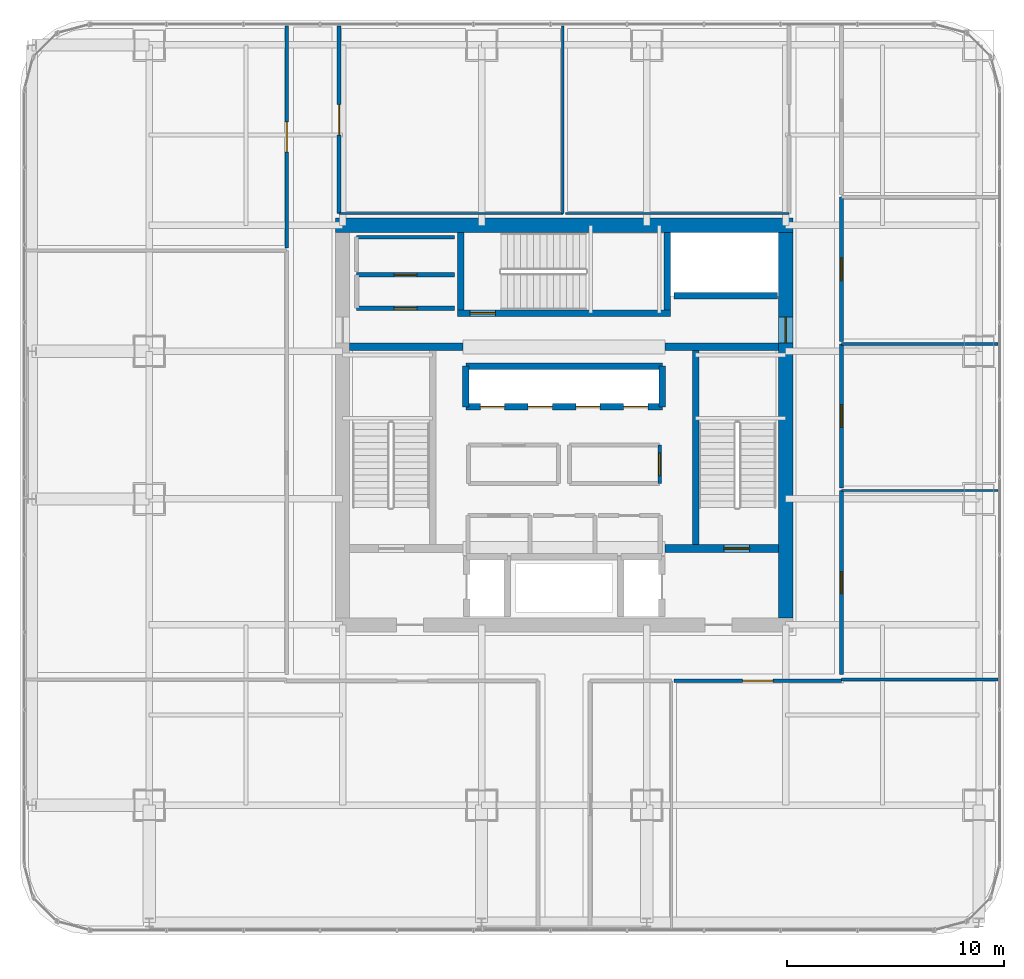
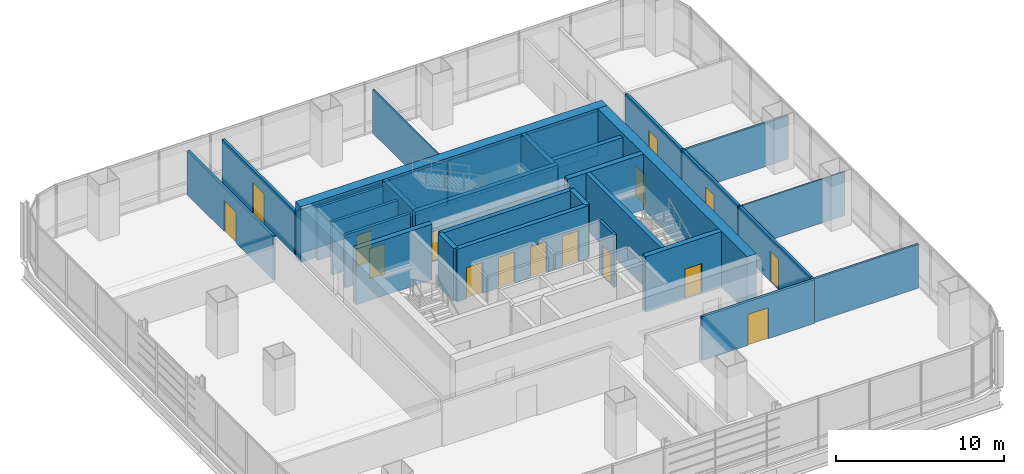
# One storey, part 30 of 37: 30 walls, 16 doors, 16 openings.
"""IFC4 building model written with IfcOpenShell, lengths in metres."""

import ifcopenshell
import ifcopenshell.guid

model = None  # the IFC model being written
_history = None  # IfcOwnerHistory: only IFC2X3 demands one
_inside = {}  # id of a spatial element -> (the spatial element, [elements in it])
_under = {}  # id of a project, library or spatial element -> (it, [spatial elements below it])
_declared = {}  # id of a project -> (the project, [libraries it declares])
_typed = {}  # id of a type object -> (the type object, [elements of that type])
_made_of = {}  # id of a material, layer set ... -> (it, [elements and type objects made of it])


def new_model(schema):
    """Start an empty IFC model of exactly this schema.

    Asked for "IFC4X3", IfcOpenShell would pick the latest addendum, in which some entities
    have other attributes; the version numbers below select the first issue.
    IFC2X3 requires an IfcOwnerHistory on every rooted entity: one is made here for all.
    """
    global model, _history
    if schema == "IFC4X3":
        model = ifcopenshell.file(schema_version=(4, 3, 0, 0))
    else:
        model = ifcopenshell.file(schema=schema)
    _inside.clear()
    _under.clear()
    _declared.clear()
    _typed.clear()
    _made_of.clear()
    _history = None
    if model.schema == "IFC2X3":
        org = make("IfcOrganization", Name="unknown")
        user = make(
            "IfcPersonAndOrganization",
            ThePerson=make("IfcPerson", FamilyName="unknown"),
            TheOrganization=org,
        )
        app = make(
            "IfcApplication",
            ApplicationDeveloper=org,
            Version="unknown",
            ApplicationFullName="unknown",
            ApplicationIdentifier="unknown",
        )
        _history = make(
            "IfcOwnerHistory",
            OwningUser=user,
            OwningApplication=app,
            ChangeAction="ADDED",
            CreationDate=0,
        )
    return model


def make(cls, **values):
    """One entity of the class cls with the attributes given. An attribute that is None is left unset."""
    return model.create_entity(
        cls, **{name: value for name, value in values.items() if value is not None}
    )


def rooted(cls, **values):
    """An entity with a GlobalId (a new one), such as an element, a storey or a relation."""
    return make(cls, GlobalId=ifcopenshell.guid.new(), OwnerHistory=_history, **values)


def si_unit(unit_type, name, prefix=None):
    """IfcSIUnit, for example si_unit("LENGTHUNIT", "METRE", prefix="MILLI")."""
    return make("IfcSIUnit", UnitType=unit_type, Prefix=prefix, Name=name)


def assignment(units):
    """IfcUnitAssignment: the units of a project."""
    return None if units is None else make("IfcUnitAssignment", Units=units)


def point(xyz):
    """IfcCartesianPoint."""
    return None if xyz is None else make("IfcCartesianPoint", Coordinates=xyz)


def direction(xyz):
    """IfcDirection."""
    return None if xyz is None else make("IfcDirection", DirectionRatios=xyz)


def frame(location, z_axis=None, x_axis=None):
    """IfcAxis2Placement3D, a coordinate frame: its origin and axes. An axis left out is left unset."""
    return make(
        "IfcAxis2Placement3D",
        Location=point(location),
        Axis=direction(z_axis),
        RefDirection=direction(x_axis),
    )


def frame_2d(location, x_axis=None):
    """IfcAxis2Placement2D, a coordinate frame in the plane: its origin and x axis."""
    return make(
        "IfcAxis2Placement2D", Location=point(location), RefDirection=direction(x_axis)
    )


def origin():
    """The frame at (0, 0, 0) with its axes left unset."""
    return frame((0.0, 0.0, 0.0))


def place(relative_to, where):
    """IfcLocalPlacement: puts the frame where relative to a parent placement (None: the world)."""
    return make(
        "IfcLocalPlacement", PlacementRelTo=relative_to, RelativePlacement=where
    )


def context(
    kind, dimensions, precision=None, world=None, true_north=None, identifier=None
):
    """IfcGeometricRepresentationContext, for example the 3D "Model" context."""
    return make(
        "IfcGeometricRepresentationContext",
        ContextIdentifier=identifier,
        ContextType=kind,
        CoordinateSpaceDimension=dimensions,
        Precision=precision,
        WorldCoordinateSystem=world,
        TrueNorth=true_north,
    )


def subcontext(parent, identifier, kind, view, scale=None):
    """IfcGeometricRepresentationSubContext, for example "Body" below "Model"."""
    return make(
        "IfcGeometricRepresentationSubContext",
        ContextIdentifier=identifier,
        ContextType=kind,
        ParentContext=parent,
        TargetScale=scale,
        TargetView=view,
    )


def project(units=None, contexts=None):
    """IfcProject with its units and contexts."""
    return rooted(
        "IfcProject",
        Name="project",
        RepresentationContexts=contexts,
        UnitsInContext=assignment(units),
    )


def spatial(cls, under=None, at=None, **own):
    """A site, building, storey or space (cls), placed at a placement, below another one or the project."""
    s = rooted(cls, ObjectPlacement=at, **own)
    if under is not None:
        _under.setdefault(under.id(), (under, []))[1].append(s)
    return s


def profile(cls, at=None, kind="AREA", **sizes):
    """A parametric profile (cls). Its sizes go by their IFC names, for example OverallWidth=200.0."""
    return make(cls, ProfileType=kind, Position=at, **sizes)


def rectangle(**sizes):
    """IfcRectangleProfileDef."""
    return profile("IfcRectangleProfileDef", **sizes)


def extrude(swept, where, along, depth):
    """IfcExtrudedAreaSolid: the profile swept, set in the frame where, extruded along a direction by depth."""
    return make(
        "IfcExtrudedAreaSolid",
        SweptArea=swept,
        Position=where,
        ExtrudedDirection=direction(along),
        Depth=depth,
    )


def shape(context_of_items, identifier, shape_type, items):
    """IfcShapeRepresentation: the items that make up one representation, for example the "Body"."""
    return make(
        "IfcShapeRepresentation",
        ContextOfItems=context_of_items,
        RepresentationIdentifier=identifier,
        RepresentationType=shape_type,
        Items=items,
    )


def material(Name=None, Category=None):
    """IfcMaterial."""
    return make("IfcMaterial", Name=Name, Category=Category)


def layer(
    of_material, thickness, ventilated=None, Name=None, Category=None, Priority=None
):
    """IfcMaterialLayer: one layer of a wall or slab, of a material (None: an air gap)."""
    return make(
        "IfcMaterialLayer",
        Material=of_material,
        LayerThickness=thickness,
        IsVentilated=ventilated,
        Name=Name,
        Category=Category,
        Priority=Priority,
    )


def layer_set(layers, Name=None):
    """IfcMaterialLayerSet."""
    return make("IfcMaterialLayerSet", MaterialLayers=layers, LayerSetName=Name)


def made_of(thing, what):
    """Note that an element or type object is made of a material, layer set ...; save() writes the relation."""
    if what is not None:
        _made_of.setdefault(what.id(), (what, []))[1].append(thing)
    return thing


def type_object(cls, material=None, **own):
    """A type object (cls), such as IfcWallType, which elements share."""
    return made_of(rooted(cls, **own), material)


def element(
    cls,
    number,
    at=None,
    inside=None,
    cuts=None,
    type_object=None,
    material=None,
    context=None,
    identifier="Body",
    shape_type=None,
    held_by="IfcProductDefinitionShape",
    body=None,
    shapes=None,
    **own,
):
    """One element of the class cls, such as IfcWall. Its Tag is "e" and its number.

    at: its placement. inside: the storey or other place that contains it. cuts: it is an
    opening in that element (IfcRelVoidsElement). A single representation is given by context,
    identifier, shape_type and body (its items); several are given by shapes. held_by: the class
    of the entity that holds the representations. save() writes the other relations.
    """
    e = rooted(cls, Tag="e%d" % number, ObjectPlacement=at, **own)
    if body is not None:
        shapes = [shape(context, identifier, shape_type, body)]
    if shapes is not None:
        e.Representation = make(held_by, Representations=shapes)
    if inside is not None:
        _inside.setdefault(inside.id(), (inside, []))[1].append(e)
    if cuts is not None:
        rooted(
            "IfcRelVoidsElement", RelatingBuildingElement=cuts, RelatedOpeningElement=e
        )
    if type_object is not None:
        _typed.setdefault(type_object.id(), (type_object, []))[1].append(e)
    return made_of(e, material)


def fill(opening, filler):
    """IfcRelFillsElement: the door or window that sits in an opening."""
    return rooted(
        "IfcRelFillsElement",
        RelatingOpeningElement=opening,
        RelatedBuildingElement=filler,
    )


def aggregate(whole, parts):
    """IfcRelAggregates: a whole, such as a stair, and the parts it consists of."""
    return rooted("IfcRelAggregates", RelatingObject=whole, RelatedObjects=parts)


def save(model, path):
    """Write the relations noted so far, then the file.

    IfcRelAggregates (storeys below a building ...), IfcRelContainedInSpatialStructure (elements
    in a storey), IfcRelDefinesByType, IfcRelAssociatesMaterial and IfcRelDeclares: one each for
    every whole, place, type object, material and project.
    """
    for whole, parts in _under.values():
        aggregate(whole, parts)
    for where, things in _inside.values():
        rooted(
            "IfcRelContainedInSpatialStructure",
            RelatedElements=things,
            RelatingStructure=where,
        )
    for kind, things in _typed.values():
        rooted("IfcRelDefinesByType", RelatedObjects=things, RelatingType=kind)
    for what, things in _made_of.values():
        rooted("IfcRelAssociatesMaterial", RelatedObjects=things, RelatingMaterial=what)
    for by, libraries in _declared.values():
        rooted("IfcRelDeclares", RelatingContext=by, RelatedDefinitions=libraries)
    model.write(path)


model = new_model("IFC4")

# Units and contexts
model_context = context("Model", 3, precision=1e-05, world=origin(), true_north=direction((0.0, 1.0)))
body_context = subcontext(model_context, "Body", "Model", "MODEL_VIEW")
ifc_project = project(units=[si_unit("LENGTHUNIT", "METRE"), si_unit("AREAUNIT", "SQUARE_METRE"), si_unit("VOLUMEUNIT", "CUBIC_METRE"), si_unit("PLANEANGLEUNIT", "RADIAN"), si_unit("MASSUNIT", "GRAM", prefix="KILO")], contexts=[model_context])

# Site, building, storey
site_placement = place(None, origin())
site = spatial("IfcSite", under=ifc_project, at=site_placement, CompositionType="ELEMENT")
building_placement = place(site_placement, origin())
building = spatial("IfcBuilding", under=site, at=building_placement, Name="Punatoya Terracotta Tower", CompositionType="ELEMENT")
storey_placement = place(building_placement, frame((0.0, 0.0, 192.449951171875)))
storey = spatial("IfcBuildingStorey", under=building, at=storey_placement, Name="L45", CompositionType="ELEMENT", Elevation=192.449951171875)

# Wall
ifc_material_1 = material(Name="Concrete C60/75", Category="concrete")
ifc_layer_1 = layer(ifc_material_1, 0.64990234375)
ifc_layer_set_1 = layer_set([ifc_layer_1], Name="Concrete C60/75")
wall_type_1 = type_object("IfcWallType", Name="WL-COR-650", PredefinedType="SHEAR", material=ifc_layer_set_1)
wall_1_placement = place(storey_placement, frame((-10.52490234375, 9.199951171875, 0.0), z_axis=(0.0, 0.0, 1.0), x_axis=(1.0, 0.0, 0.0)))
element("IfcWall", 1, at=wall_1_placement, inside=storey, type_object=wall_type_1, Name="L45 Core Shear Wall N", PredefinedType="SHEAR", context=body_context, shape_type="SweptSolid", body=[
    extrude(rectangle(XDim=21.0498046875, YDim=0.64990234375, at=frame_2d((10.52490234375, 0.0))), origin(), (0.0, 0.0, 1.0), 4.050048828125),
])

# Wall, opening, door
wall_2_placement = place(storey_placement, frame((10.199951171875, 8.875, 0.0), z_axis=(0.0, 0.0, 1.0), x_axis=(0.0, -1.0, 0.0)))
wall_2 = element("IfcWall", 2, at=wall_2_placement, inside=storey, type_object=wall_type_1, Name="L45 Core Shear Wall E", PredefinedType="SHEAR", context=body_context, shape_type="SweptSolid", body=[
    extrude(rectangle(XDim=17.75, YDim=0.64990234375, at=frame_2d((8.875, 0.0))), origin(), (0.0, 0.0, 1.0), 4.050048828125),
])
opening_1_placement = place(wall_2_placement, frame((3.905029296875, 0.0, 0.0)))
opening_1 = element("IfcOpeningElement", 3, at=opening_1_placement, cuts=wall_2, Name="Opening SD-01", PredefinedType="OPENING", context=body_context, shape_type="SweptSolid", body=[
    extrude(rectangle(XDim=1.179931640625, YDim=2.199951171875, at=frame_2d((0.58984375, 1.10009765625))), frame((0.0, 0.3349609375, 0.0), z_axis=(0.0, -1.0, 0.0), x_axis=(1.0, 0.0, 0.0)), (0.0, 0.0, 1.0), 0.669921875),
])
ifc_material_2 = material(Name="Galvanised Steel Pressurized Stair Fire Door", Category="steel")
door_type_1 = type_object("IfcDoorType", Name="DR-STR-1180", OperationType="NOTDEFINED", PredefinedType="DOOR", material=ifc_material_2)
door_1_placement = place(opening_1_placement, origin())
door_1 = element("IfcDoor", 4, at=door_1_placement, inside=storey, type_object=door_type_1, Name="L45 Central Lift Lobby East Fire Door", OperationType="SINGLE_SWING_RIGHT", OverallHeight=2.199951171875, OverallWidth=1.179931640625, PredefinedType="DOOR", context=body_context, shape_type="SweptSolid", body=[
    extrude(rectangle(XDim=1.179931640625, YDim=2.199951171875, at=frame_2d((0.58984375, 1.10009765625))), frame((0.0, 0.02490234375, 0.0), z_axis=(0.0, -1.0, 0.0), x_axis=(1.0, 0.0, 0.0)), (0.0, 0.0, 1.0), 0.050048828125),
])
fill(opening_1, door_1)

ifc_material_3 = material(Name="Gypsum Fireboard + Steel Stud", Category="steel")
ifc_layer_2 = layer(ifc_material_3, 0.179931640625)
ifc_layer_set_2 = layer_set([ifc_layer_2], Name="Gypsum Fireboard + Steel Stud")
wall_type_2 = type_object("IfcWallType", Name="WL-CORR-180", PredefinedType="PARTITIONING", material=ifc_layer_set_2)
wall_3_placement = place(storey_placement, frame((4.39990234375, -2.679931640625, 0.0), z_axis=(0.0, 0.0, 1.0), x_axis=(0.0, 1.0, 0.0)))
wall_3 = element("IfcWall", 5, at=wall_3_placement, inside=storey, type_object=wall_type_2, Name="L45 East Core Wellness Room Partition 12", PredefinedType="PARTITIONING", context=body_context, shape_type="SweptSolid", body=[
    extrude(rectangle(XDim=1.760009765625, YDim=0.179931640625, at=frame_2d((0.8798828125, 0.0))), origin(), (0.0, 0.0, 1.0), 3.830078125),
])
opening_2_placement = place(wall_3_placement, frame((0.35498046875, 0.0, 0.0)))
opening_2 = element("IfcOpeningElement", 6, at=opening_2_placement, cuts=wall_3, Name="Opening OD-01", PredefinedType="OPENING", context=body_context, shape_type="SweptSolid", body=[
    extrude(rectangle(XDim=1.050048828125, YDim=2.199951171875, at=frame_2d((0.52490234375, 1.10009765625))), frame((0.0, 0.099853515625, 0.0), z_axis=(0.0, -1.0, 0.0), x_axis=(1.0, 0.0, 0.0)), (0.0, 0.0, 1.0), 0.199951171875),
])
ifc_material_4 = material(Name="Bengal Teak Solid-Core Leaf")
door_type_2 = type_object("IfcDoorType", Name="DR-OFF-1050", OperationType="NOTDEFINED", PredefinedType="DOOR", material=ifc_material_4)
door_2_placement = place(opening_2_placement, origin())
door_2 = element("IfcDoor", 7, at=door_2_placement, inside=storey, type_object=door_type_2, Name="L45 East Wellness Room Door", OperationType="SINGLE_SWING_LEFT", OverallHeight=2.199951171875, OverallWidth=1.050048828125, PredefinedType="DOOR", context=body_context, shape_type="SweptSolid", body=[
    extrude(rectangle(XDim=1.050048828125, YDim=2.199951171875, at=frame_2d((0.52490234375, 1.10009765625))), frame((0.0, 0.02490234375, 0.0), z_axis=(0.0, -1.0, 0.0), x_axis=(1.0, 0.0, 0.0)), (0.0, 0.0, 1.0), 0.050048828125),
])
fill(opening_2, door_2)

# Wall
wall_4_placement = place(storey_placement, frame((-5.050048828125, 8.64990234375, 0.0), z_axis=(0.0, 0.0, 1.0), x_axis=(-1.0, 0.0, 0.0)))
element("IfcWall", 8, at=wall_4_placement, inside=storey, type_object=wall_type_2, Name="L45 West Core Copy Room Partition 19", PredefinedType="PARTITIONING", context=body_context, shape_type="SweptSolid", body=[
    extrude(rectangle(XDim=4.5, YDim=0.179931640625, at=frame_2d((2.25, 0.0))), origin(), (0.0, 0.0, 1.0), 3.830078125),
])

# Wall, opening, door
wall_5_placement = place(storey_placement, frame((5.068115234375, -11.77001953125, 0.0), z_axis=(0.0, 0.0, 1.0), x_axis=(1.0, 0.0, 0.0)))
wall_5 = element("IfcWall", 9, at=wall_5_placement, inside=storey, type_object=wall_type_2, Name="L45 Collaborative Workshop Room Partition 27", PredefinedType="PARTITIONING", context=body_context, shape_type="SweptSolid", body=[
    extrude(rectangle(XDim=7.701904296875, YDim=0.179931640625, at=frame_2d((3.85107421875, 0.0))), origin(), (0.0, 0.0, 1.0), 3.174072265625),
])
opening_3_placement = place(wall_5_placement, frame((3.15087890625, 0.0, 0.0)))
opening_3 = element("IfcOpeningElement", 10, at=opening_3_placement, cuts=wall_5, Name="Opening BD-01", PredefinedType="OPENING", context=body_context, shape_type="SweptSolid", body=[
    extrude(rectangle(XDim=1.39990234375, YDim=2.25, at=frame_2d((0.699951171875, 1.125))), frame((0.0, 0.099853515625, 0.0), z_axis=(0.0, -1.0, 0.0), x_axis=(1.0, 0.0, 0.0)), (0.0, 0.0, 1.0), 0.199951171875),
])
ifc_material_5 = material(Name="Bengal Teak Acoustic Leaf")
door_type_3 = type_object("IfcDoorType", Name="DR-BRD-1400", OperationType="NOTDEFINED", PredefinedType="DOOR", material=ifc_material_5)
door_3_placement = place(opening_3_placement, origin())
door_3 = element("IfcDoor", 11, at=door_3_placement, inside=storey, type_object=door_type_3, Name="L45 Collaborative Workshop Room Door", OperationType="SINGLE_SWING_RIGHT", OverallHeight=2.25, OverallWidth=1.39990234375, PredefinedType="DOOR", context=body_context, shape_type="SweptSolid", body=[
    extrude(rectangle(XDim=1.39990234375, YDim=2.25, at=frame_2d((0.699951171875, 1.125))), frame((0.0, 0.02490234375, 0.0), z_axis=(0.0, -1.0, 0.0), x_axis=(1.0, 0.0, 0.0)), (0.0, 0.0, 1.0), 0.050048828125),
])
fill(opening_3, door_3)

wall_6_placement = place(storey_placement, frame((12.77001953125, -11.489990234375, 0.0), z_axis=(0.0, 0.0, 1.0), x_axis=(0.0, 1.0, 0.0)))
wall_6 = element("IfcWall", 12, at=wall_6_placement, inside=storey, type_object=wall_type_2, Name="L45 Open-Plan Executive Briefing Room Partition 29", PredefinedType="PARTITIONING", context=body_context, shape_type="SweptSolid", body=[
    extrude(rectangle(XDim=8.47607421875, YDim=0.179931640625, at=frame_2d((4.238037109375, 0.0))), origin(), (0.0, 0.0, 1.0), 3.174072265625),
])
opening_4_placement = place(wall_6_placement, frame((3.72802734375, 0.0, 0.0)))
opening_4 = element("IfcOpeningElement", 13, at=opening_4_placement, cuts=wall_6, Name="Opening MD-01", PredefinedType="OPENING", context=body_context, shape_type="SweptSolid", body=[
    extrude(rectangle(XDim=1.02001953125, YDim=2.199951171875, at=frame_2d((0.510009765625, 1.10009765625))), frame((0.0, 0.099853515625, 0.0), z_axis=(0.0, -1.0, 0.0), x_axis=(1.0, 0.0, 0.0)), (0.0, 0.0, 1.0), 0.199951171875),
])
ifc_material_6 = material(Name="Aluminium + Acoustic Glass Leaf", Category="aluminium")
door_type_4 = type_object("IfcDoorType", Name="DR-MTG-1020", OperationType="NOTDEFINED", PredefinedType="DOOR", material=ifc_material_6)
door_4_placement = place(opening_4_placement, origin())
door_4 = element("IfcDoor", 14, at=door_4_placement, inside=storey, type_object=door_type_4, Name="L45 Open-Plan Executive Briefing Room Door", OperationType="SINGLE_SWING_LEFT", OverallHeight=2.199951171875, OverallWidth=1.02001953125, PredefinedType="DOOR", context=body_context, shape_type="SweptSolid", body=[
    extrude(rectangle(XDim=1.02001953125, YDim=2.199951171875, at=frame_2d((0.510009765625, 1.10009765625))), frame((0.0, 0.02490234375, 0.0), z_axis=(0.0, -1.0, 0.0), x_axis=(1.0, 0.0, 0.0)), (0.0, 0.0, 1.0), 0.050048828125),
])
fill(opening_4, door_4)

wall_7_placement = place(storey_placement, frame((12.77001953125, -2.89404296875, 0.0), z_axis=(0.0, 0.0, 1.0), x_axis=(0.0, 1.0, 0.0)))
wall_7 = element("IfcWall", 15, at=wall_7_placement, inside=storey, type_object=wall_type_2, Name="L45 Open-Plan Delegate Reception Lounge Partition 33", PredefinedType="PARTITIONING", context=body_context, shape_type="SweptSolid", body=[
    extrude(rectangle(XDim=6.634033203125, YDim=0.179931640625, at=frame_2d((3.31689453125, 0.0))), origin(), (0.0, 0.0, 1.0), 3.174072265625),
])
opening_5_placement = place(wall_7_placement, frame((2.7919921875, 0.0, 0.0)))
opening_5 = element("IfcOpeningElement", 16, at=opening_5_placement, cuts=wall_7, Name="Opening OD-01", PredefinedType="OPENING", context=body_context, shape_type="SweptSolid", body=[
    extrude(rectangle(XDim=1.050048828125, YDim=2.199951171875, at=frame_2d((0.52490234375, 1.10009765625))), frame((0.0, 0.099853515625, 0.0), z_axis=(0.0, -1.0, 0.0), x_axis=(1.0, 0.0, 0.0)), (0.0, 0.0, 1.0), 0.199951171875),
])
door_5_placement = place(opening_5_placement, origin())
door_5 = element("IfcDoor", 17, at=door_5_placement, inside=storey, type_object=door_type_2, Name="L45 Open-Plan Delegate Reception Lounge Door", OperationType="SINGLE_SWING_LEFT", OverallHeight=2.199951171875, OverallWidth=1.050048828125, PredefinedType="DOOR", context=body_context, shape_type="SweptSolid", body=[
    extrude(rectangle(XDim=1.050048828125, YDim=2.199951171875, at=frame_2d((0.52490234375, 1.10009765625))), frame((0.0, 0.02490234375, 0.0), z_axis=(0.0, -1.0, 0.0), x_axis=(1.0, 0.0, 0.0)), (0.0, 0.0, 1.0), 0.050048828125),
])
fill(opening_5, door_5)

wall_8_placement = place(storey_placement, frame((12.77001953125, 3.860107421875, 0.0), z_axis=(0.0, 0.0, 1.0), x_axis=(0.0, 1.0, 0.0)))
wall_8 = element("IfcWall", 18, at=wall_8_placement, inside=storey, type_object=wall_type_2, Name="L45 Wellness Focus Room Partition 35", PredefinedType="PARTITIONING", context=body_context, shape_type="SweptSolid", body=[
    extrude(rectangle(XDim=6.6337890625, YDim=0.179931640625, at=frame_2d((3.31689453125, 0.0))), origin(), (0.0, 0.0, 1.0), 3.174072265625),
])
opening_6_placement = place(wall_8_placement, frame((2.7919921875, 0.0, 0.0)))
opening_6 = element("IfcOpeningElement", 19, at=opening_6_placement, cuts=wall_8, Name="Opening OD-01", PredefinedType="OPENING", context=body_context, shape_type="SweptSolid", body=[
    extrude(rectangle(XDim=1.050048828125, YDim=2.199951171875, at=frame_2d((0.52490234375, 1.10009765625))), frame((0.0, 0.099853515625, 0.0), z_axis=(0.0, -1.0, 0.0), x_axis=(1.0, 0.0, 0.0)), (0.0, 0.0, 1.0), 0.199951171875),
])
door_6_placement = place(opening_6_placement, origin())
door_6 = element("IfcDoor", 20, at=door_6_placement, inside=storey, type_object=door_type_2, Name="L45 Wellness Focus Room Door", OperationType="SINGLE_SWING_RIGHT", OverallHeight=2.199951171875, OverallWidth=1.050048828125, PredefinedType="DOOR", context=body_context, shape_type="SweptSolid", body=[
    extrude(rectangle(XDim=1.050048828125, YDim=2.199951171875, at=frame_2d((0.52490234375, 1.10009765625))), frame((0.0, 0.02490234375, 0.0), z_axis=(0.0, -1.0, 0.0), x_axis=(1.0, 0.0, 0.0)), (0.0, 0.0, 1.0), 0.050048828125),
])
fill(opening_6, door_6)

wall_9_placement = place(storey_placement, frame((-12.77001953125, 18.3701171875, 0.0), z_axis=(0.0, 0.0, 1.0), x_axis=(0.0, -1.0, 0.0)))
wall_9 = element("IfcWall", 21, at=wall_9_placement, inside=storey, type_object=wall_type_2, Name="L45 Open-Plan Case-Study Classroom Partition 37", PredefinedType="PARTITIONING", context=body_context, shape_type="SweptSolid", body=[
    extrude(rectangle(XDim=10.212158203125, YDim=0.179931640625, at=frame_2d((5.10595703125, 0.0))), origin(), (0.0, 0.0, 1.0), 3.174072265625),
])
opening_7_placement = place(wall_9_placement, frame((4.406005859375, 0.0, 0.0)))
opening_7 = element("IfcOpeningElement", 22, at=opening_7_placement, cuts=wall_9, Name="Opening BD-01", PredefinedType="OPENING", context=body_context, shape_type="SweptSolid", body=[
    extrude(rectangle(XDim=1.39990234375, YDim=2.25, at=frame_2d((0.699951171875, 1.125))), frame((0.0, 0.099853515625, 0.0), z_axis=(0.0, -1.0, 0.0), x_axis=(1.0, 0.0, 0.0)), (0.0, 0.0, 1.0), 0.199951171875),
])
door_7_placement = place(opening_7_placement, origin())
door_7 = element("IfcDoor", 23, at=door_7_placement, inside=storey, type_object=door_type_3, Name="L45 Open-Plan Case-Study Classroom Door", OperationType="SINGLE_SWING_LEFT", OverallHeight=2.25, OverallWidth=1.39990234375, PredefinedType="DOOR", context=body_context, shape_type="SweptSolid", body=[
    extrude(rectangle(XDim=1.39990234375, YDim=2.25, at=frame_2d((0.699951171875, 1.125))), frame((0.0, 0.02490234375, 0.0), z_axis=(0.0, -1.0, 0.0), x_axis=(1.0, 0.0, 0.0)), (0.0, 0.0, 1.0), 0.050048828125),
])
fill(opening_7, door_7)

wall_10_placement = place(storey_placement, frame((-10.360107421875, 9.739990234375, 0.0), z_axis=(0.0, 0.0, 1.0), x_axis=(0.0, 1.0, 0.0)))
wall_10 = element("IfcWall", 24, at=wall_10_placement, inside=storey, type_object=wall_type_2, Name="L45 Open-Plan Symposium Colloquium Room Partition 40", PredefinedType="PARTITIONING", context=body_context, shape_type="SweptSolid", body=[
    extrude(rectangle(XDim=8.630126953125, YDim=0.179931640625, at=frame_2d((4.31494140625, 0.0))), origin(), (0.0, 0.0, 1.0), 3.174072265625),
])
opening_8_placement = place(wall_10_placement, frame((3.614990234375, 0.0, 0.0)))
opening_8 = element("IfcOpeningElement", 25, at=opening_8_placement, cuts=wall_10, Name="Opening BD-01", PredefinedType="OPENING", context=body_context, shape_type="SweptSolid", body=[
    extrude(rectangle(XDim=1.39990234375, YDim=2.25, at=frame_2d((0.699951171875, 1.125))), frame((0.0, 0.099853515625, 0.0), z_axis=(0.0, -1.0, 0.0), x_axis=(1.0, 0.0, 0.0)), (0.0, 0.0, 1.0), 0.199951171875),
])
door_8_placement = place(opening_8_placement, origin())
door_8 = element("IfcDoor", 26, at=door_8_placement, inside=storey, type_object=door_type_3, Name="L45 Open-Plan Symposium Colloquium Room Door", OperationType="SINGLE_SWING_RIGHT", OverallHeight=2.25, OverallWidth=1.39990234375, PredefinedType="DOOR", context=body_context, shape_type="SweptSolid", body=[
    extrude(rectangle(XDim=1.39990234375, YDim=2.25, at=frame_2d((0.699951171875, 1.125))), frame((0.0, 0.02490234375, 0.0), z_axis=(0.0, -1.0, 0.0), x_axis=(1.0, 0.0, 0.0)), (0.0, 0.0, 1.0), 0.050048828125),
])
fill(opening_8, door_8)

# Walls
ifc_material_7 = material(Name="Aluminium Framed Acoustic Glass Partition", Category="aluminium")
ifc_layer_3 = layer(ifc_material_7, 0.10009765625)
ifc_layer_set_3 = layer_set([ifc_layer_3], Name="Aluminium Framed Acoustic Glass Partition")
wall_type_3 = type_object("IfcWallType", Name="WL-GLZ-100", PredefinedType="PARTITIONING", material=ifc_layer_set_3)
wall_11_placement = place(storey_placement, frame((12.77001953125, -3.013916015625, 0.0), z_axis=(0.0, 0.0, 1.0), x_axis=(1.0, 0.0, 0.0)))
element("IfcWall", 27, at=wall_11_placement, inside=storey, type_object=wall_type_3, Name="L45 Open-Plan Executive Briefing Room Partition 30", PredefinedType="PARTITIONING", context=body_context, shape_type="SweptSolid", body=[
    extrude(rectangle(XDim=7.199951171875, YDim=0.10009765625, at=frame_2d((3.60009765625, 0.0))), origin(), (0.0, 0.0, 1.0), 3.174072265625),
])
wall_12_placement = place(storey_placement, frame((-0.06005859375, 18.3701171875, 0.0), z_axis=(0.0, 0.0, 1.0), x_axis=(0.0, -1.0, 0.0)))
element("IfcWall", 28, at=wall_12_placement, inside=storey, type_object=wall_type_3, Name="L45 Open-Plan Symposium Colloquium Room Partition 38", PredefinedType="PARTITIONING", context=body_context, shape_type="SweptSolid", body=[
    extrude(rectangle(XDim=8.630126953125, YDim=0.10009765625, at=frame_2d((4.31494140625, 0.0))), origin(), (0.0, 0.0, 1.0), 3.174072265625),
])
for number, where, z_axis, x_axis, name in (
    (29, (-0.06005859375, 9.739990234375, 0.0), (0.0, 0.0, 1.0), (-1.0, 0.0, 0.0), "L45 Open-Plan Symposium Colloquium Room Partition 39"),
    (30, (10.360107421875, 9.739990234375, 0.0), (0.0, 0.0, 1.0), (-1.0, 0.0, 0.0), "L45 Open-Plan Roundtable Conference Room Partition 41"),
):
    element("IfcWall", number, at=place(storey_placement, frame(where, z_axis=z_axis, x_axis=x_axis)), inside=storey, type_object=wall_type_3, Name=name, PredefinedType="PARTITIONING", context=body_context, shape_type="SweptSolid", body=[
        extrude(rectangle(XDim=10.300048828125, YDim=0.10009765625, at=frame_2d((5.14990234375, 0.0))), origin(), (0.0, 0.0, 1.0), 3.174072265625),
    ])

# Wall, opening, door
ifc_material_8 = material(Name="Concrete C40/50", Category="concrete")
ifc_layer_4 = layer(ifc_material_8, 0.199951171875)
ifc_layer_set_4 = layer_set([ifc_layer_4], Name="Concrete C40/50")
wall_type_4 = type_object("IfcWallType", Name="WL-INT-200", PredefinedType="SOLIDWALL", material=ifc_layer_set_4)
wall_13_placement = place(storey_placement, frame((-5.050048828125, 6.919921875, 0.0), z_axis=(0.0, 0.0, 1.0), x_axis=(-1.0, 0.0, 0.0)))
wall_13 = element("IfcWall", 31, at=wall_13_placement, inside=storey, type_object=wall_type_4, Name="L45 West Core Tea Pantry Partition 16", PredefinedType="SOLIDWALL", context=body_context, shape_type="SweptSolid", body=[
    extrude(rectangle(XDim=4.5, YDim=0.199951171875, at=frame_2d((2.25, 0.0))), origin(), (0.0, 0.0, 1.0), 3.830078125),
])
opening_9_placement = place(wall_13_placement, frame((1.72509765625, 0.0, 0.0)))
opening_9 = element("IfcOpeningElement", 32, at=opening_9_placement, cuts=wall_13, Name="Opening OD-01", PredefinedType="OPENING", context=body_context, shape_type="SweptSolid", body=[
    extrude(rectangle(XDim=1.050048828125, YDim=2.199951171875, at=frame_2d((0.52490234375, 1.10009765625))), frame((0.0, 0.10986328125, 0.0), z_axis=(0.0, -1.0, 0.0), x_axis=(1.0, 0.0, 0.0)), (0.0, 0.0, 1.0), 0.219970703125),
])
door_9_placement = place(opening_9_placement, origin())
door_9 = element("IfcDoor", 33, at=door_9_placement, inside=storey, type_object=door_type_2, Name="L45 West Copy Room Door", OperationType="SINGLE_SWING_LEFT", OverallHeight=2.199951171875, OverallWidth=1.050048828125, PredefinedType="DOOR", context=body_context, shape_type="SweptSolid", body=[
    extrude(rectangle(XDim=1.050048828125, YDim=2.199951171875, at=frame_2d((0.52490234375, 1.10009765625))), frame((0.0, 0.02490234375, 0.0), z_axis=(0.0, -1.0, 0.0), x_axis=(1.0, 0.0, 0.0)), (0.0, 0.0, 1.0), 0.050048828125),
])
fill(opening_9, door_9)

wall_14_placement = place(storey_placement, frame((-9.550048828125, 5.3798828125, 0.0), z_axis=(0.0, 0.0, 1.0), x_axis=(1.0, 0.0, 0.0)))
wall_14 = element("IfcWall", 34, at=wall_14_placement, inside=storey, type_object=wall_type_4, Name="L45 West Core Tea Pantry Partition 18", PredefinedType="SOLIDWALL", context=body_context, shape_type="SweptSolid", body=[
    extrude(rectangle(XDim=4.5, YDim=0.199951171875, at=frame_2d((2.25, 0.0))), origin(), (0.0, 0.0, 1.0), 3.830078125),
])
opening_10_placement = place(wall_14_placement, frame((1.72509765625, 0.0, 0.0)))
opening_10 = element("IfcOpeningElement", 35, at=opening_10_placement, cuts=wall_14, Name="Opening OD-01", PredefinedType="OPENING", context=body_context, shape_type="SweptSolid", body=[
    extrude(rectangle(XDim=1.050048828125, YDim=2.199951171875, at=frame_2d((0.52490234375, 1.10009765625))), frame((0.0, 0.10986328125, 0.0), z_axis=(0.0, -1.0, 0.0), x_axis=(1.0, 0.0, 0.0)), (0.0, 0.0, 1.0), 0.219970703125),
])
door_10_placement = place(opening_10_placement, origin())
door_10 = element("IfcDoor", 36, at=door_10_placement, inside=storey, type_object=door_type_2, Name="L45 West Tea Pantry Door", OperationType="SINGLE_SWING_RIGHT", OverallHeight=2.199951171875, OverallWidth=1.050048828125, PredefinedType="DOOR", context=body_context, shape_type="SweptSolid", body=[
    extrude(rectangle(XDim=1.050048828125, YDim=2.199951171875, at=frame_2d((0.52490234375, 1.10009765625))), frame((0.0, 0.02490234375, 0.0), z_axis=(0.0, -1.0, 0.0), x_axis=(1.0, 0.0, 0.0)), (0.0, 0.0, 1.0), 0.050048828125),
])
fill(opening_10, door_10)

# Walls
ifc_material_9 = material(Name="Acoustic Gypsum + Steel Stud", Category="steel")
ifc_layer_5 = layer(ifc_material_9, 0.139892578125)
ifc_layer_set_5 = layer_set([ifc_layer_5], Name="Acoustic Gypsum + Steel Stud")
wall_type_5 = type_object("IfcWallType", Name="WL-OFF-140", PredefinedType="PARTITIONING", material=ifc_layer_set_5)
for number, where, z_axis, x_axis, name in (
    (37, (12.77001953125, -11.7099609375, 0.0), (0.0, 0.0, 1.0), (1.0, 0.0, 0.0), "L45 Collaborative Workshop Room Partition 28"),
    (38, (12.77001953125, 3.739990234375, 0.0), (0.0, 0.0, 1.0), (1.0, 0.0, 0.0), "L45 Open-Plan Delegate Reception Lounge Partition 34"),
):
    element("IfcWall", number, at=place(storey_placement, frame(where, z_axis=z_axis, x_axis=x_axis)), inside=storey, type_object=wall_type_5, Name=name, PredefinedType="PARTITIONING", context=body_context, shape_type="SweptSolid", body=[
        extrude(rectangle(XDim=7.199951171875, YDim=0.139892578125, at=frame_2d((3.60009765625, 0.0))), origin(), (0.0, 0.0, 1.0), 3.174072265625),
    ])
ifc_layer_6 = layer(ifc_material_8, 0.300048828125)
ifc_layer_set_6 = layer_set([ifc_layer_6], Name="Concrete C40/50")
wall_type_6 = type_object("IfcWallType", Name="WL-SHF-300", PredefinedType="SOLIDWALL", material=ifc_layer_set_6)
wall_15_placement = place(storey_placement, frame((6.050048828125, 3.449951171875, 0.0), z_axis=(0.0, 0.0, 1.0), x_axis=(0.0, -1.0, 0.0)))
element("IfcWall", 39, at=wall_15_placement, inside=storey, type_object=wall_type_6, Name="L45 Structural Stair Shaft Wall SW-ST2-W", PredefinedType="SOLIDWALL", context=body_context, shape_type="SweptSolid", body=[
    extrude(rectangle(XDim=8.949951171875, YDim=0.300048828125, at=frame_2d((4.47509765625, 0.0))), origin(), (0.0, 0.0, 1.0), 4.050048828125),
])
for number, where, z_axis, x_axis, name in (
    (40, (-4.75, 5.300048828125, 0.0), (0.0, 0.0, 1.0), (0.0, 1.0, 0.0), "L45 Structural Stair Shaft Wall SW-ST3-W"),
    (41, (4.75, 8.875, 0.0), (0.0, 0.0, 1.0), (0.0, -1.0, 0.0), "L45 Structural Stair Shaft Wall SW-ST3-E"),
):
    element("IfcWall", number, at=place(storey_placement, frame(where, z_axis=z_axis, x_axis=x_axis)), inside=storey, type_object=wall_type_6, Name=name, PredefinedType="SOLIDWALL", context=body_context, shape_type="SweptSolid", body=[
        extrude(rectangle(XDim=3.574951171875, YDim=0.300048828125, at=frame_2d((1.78759765625, 0.0))), origin(), (0.0, 0.0, 1.0), 4.050048828125),
    ])

# Wall, opening, door
wall_16_placement = place(storey_placement, frame((-4.89990234375, 5.14990234375, 0.0), z_axis=(0.0, 0.0, 1.0), x_axis=(1.0, 0.0, 0.0)))
wall_16 = element("IfcWall", 42, at=wall_16_placement, inside=storey, type_object=wall_type_6, Name="L45 Structural Stair Shaft Wall SW-ST3-S", PredefinedType="SOLIDWALL", context=body_context, shape_type="SweptSolid", body=[
    extrude(rectangle(XDim=9.7998046875, YDim=0.300048828125, at=frame_2d((4.89990234375, 0.0))), origin(), (0.0, 0.0, 1.0), 4.050048828125),
])
opening_11_placement = place(wall_16_placement, frame((0.56005859375, 0.0, 0.0)))
opening_11 = element("IfcOpeningElement", 43, at=opening_11_placement, cuts=wall_16, Name="Opening SD-01", PredefinedType="OPENING", context=body_context, shape_type="SweptSolid", body=[
    extrude(rectangle(XDim=1.179931640625, YDim=2.199951171875, at=frame_2d((0.58984375, 1.10009765625))), frame((0.0, 0.159912109375, 0.0), z_axis=(0.0, -1.0, 0.0), x_axis=(1.0, 0.0, 0.0)), (0.0, 0.0, 1.0), 0.320068359375),
])
door_11_placement = place(opening_11_placement, origin())
door_11 = element("IfcDoor", 44, at=door_11_placement, inside=storey, type_object=door_type_1, Name="L45 Stair ST-3 Core Lobby Fire Door", OperationType="SINGLE_SWING_LEFT", OverallHeight=2.199951171875, OverallWidth=1.179931640625, PredefinedType="DOOR", context=body_context, shape_type="SweptSolid", body=[
    extrude(rectangle(XDim=1.179931640625, YDim=2.199951171875, at=frame_2d((0.58984375, 1.10009765625))), frame((0.0, 0.02490234375, 0.0), z_axis=(0.0, -1.0, 0.0), x_axis=(1.0, 0.0, 0.0)), (0.0, 0.0, 1.0), 0.050048828125),
])
fill(opening_11, door_11)

# Wall, openings, doors
wall_17_placement = place(storey_placement, frame((-4.52001953125, 0.840087890625, 0.0), z_axis=(0.0, 0.0, 1.0), x_axis=(1.0, 0.0, 0.0)))
wall_17 = element("IfcWall", 45, at=wall_17_placement, inside=storey, type_object=wall_type_6, Name="L45 North Lift Bank Front Shaft Wall", PredefinedType="SOLIDWALL", context=body_context, shape_type="SweptSolid", body=[
    extrude(rectangle(XDim=9.0400390625, YDim=0.300048828125, at=frame_2d((4.52001953125, 0.0))), origin(), (0.0, 0.0, 1.0), 3.830078125),
])
opening_12_placement = place(wall_17_placement, frame((0.659912109375, 0.0, 0.0)))
opening_12 = element("IfcOpeningElement", 46, at=opening_12_placement, cuts=wall_17, Name="Opening LD-02", PredefinedType="OPENING", context=body_context, shape_type="SweptSolid", body=[
    extrude(rectangle(XDim=1.1201171875, YDim=2.25, at=frame_2d((0.56005859375, 1.125))), frame((0.0, 0.159912109375, 0.0), z_axis=(0.0, -1.0, 0.0), x_axis=(1.0, 0.0, 0.0)), (0.0, 0.0, 1.0), 0.320068359375),
])
opening_13_placement = place(wall_17_placement, frame((2.860107421875, 0.0, 0.0)))
opening_13 = element("IfcOpeningElement", 47, at=opening_13_placement, cuts=wall_17, Name="Opening LD-02", PredefinedType="OPENING", context=body_context, shape_type="SweptSolid", body=[
    extrude(rectangle(XDim=1.1201171875, YDim=2.25, at=frame_2d((0.56005859375, 1.125))), frame((0.0, 0.159912109375, 0.0), z_axis=(0.0, -1.0, 0.0), x_axis=(1.0, 0.0, 0.0)), (0.0, 0.0, 1.0), 0.320068359375),
])
opening_14_placement = place(wall_17_placement, frame((5.06005859375, 0.0, 0.0)))
opening_14 = element("IfcOpeningElement", 48, at=opening_14_placement, cuts=wall_17, Name="Opening LD-02", PredefinedType="OPENING", context=body_context, shape_type="SweptSolid", body=[
    extrude(rectangle(XDim=1.1201171875, YDim=2.25, at=frame_2d((0.56005859375, 1.125))), frame((0.0, 0.159912109375, 0.0), z_axis=(0.0, -1.0, 0.0), x_axis=(1.0, 0.0, 0.0)), (0.0, 0.0, 1.0), 0.320068359375),
])
opening_15_placement = place(wall_17_placement, frame((7.260009765625, 0.0, 0.0)))
opening_15 = element("IfcOpeningElement", 49, at=opening_15_placement, cuts=wall_17, Name="Opening LD-02", PredefinedType="OPENING", context=body_context, shape_type="SweptSolid", body=[
    extrude(rectangle(XDim=1.1201171875, YDim=2.25, at=frame_2d((0.56005859375, 1.125))), frame((0.0, 0.159912109375, 0.0), z_axis=(0.0, -1.0, 0.0), x_axis=(1.0, 0.0, 0.0)), (0.0, 0.0, 1.0), 0.320068359375),
])
ifc_material_10 = material(Name="Stainless Steel Lift Landing Door", Category="steel")
door_type_5 = type_object("IfcDoorType", Name="DR-LND-1120", OperationType="NOTDEFINED", PredefinedType="DOOR", material=ifc_material_10)
door_12_placement = place(opening_12_placement, origin())
door_12 = element("IfcDoor", 50, at=door_12_placement, inside=storey, type_object=door_type_5, Name="L45 Lift PL-M1 Sliding Landing Door", OperationType="DOUBLE_DOOR_SLIDING", OverallHeight=2.25, OverallWidth=1.1201171875, PredefinedType="DOOR", context=body_context, shape_type="SweptSolid", body=[
    extrude(rectangle(XDim=1.1201171875, YDim=2.25, at=frame_2d((0.56005859375, 1.125))), frame((0.0, 0.02490234375, 0.0), z_axis=(0.0, -1.0, 0.0), x_axis=(1.0, 0.0, 0.0)), (0.0, 0.0, 1.0), 0.050048828125),
])
fill(opening_12, door_12)
door_13_placement = place(opening_13_placement, origin())
door_13 = element("IfcDoor", 51, at=door_13_placement, inside=storey, type_object=door_type_5, Name="L45 Lift PL-M2 Sliding Landing Door", OperationType="DOUBLE_DOOR_SLIDING", OverallHeight=2.25, OverallWidth=1.1201171875, PredefinedType="DOOR", context=body_context, shape_type="SweptSolid", body=[
    extrude(rectangle(XDim=1.1201171875, YDim=2.25, at=frame_2d((0.56005859375, 1.125))), frame((0.0, 0.02490234375, 0.0), z_axis=(0.0, -1.0, 0.0), x_axis=(1.0, 0.0, 0.0)), (0.0, 0.0, 1.0), 0.050048828125),
])
fill(opening_13, door_13)
door_14_placement = place(opening_14_placement, origin())
door_14 = element("IfcDoor", 52, at=door_14_placement, inside=storey, type_object=door_type_5, Name="L45 Lift PL-M3 Sliding Landing Door", OperationType="DOUBLE_DOOR_SLIDING", OverallHeight=2.25, OverallWidth=1.1201171875, PredefinedType="DOOR", context=body_context, shape_type="SweptSolid", body=[
    extrude(rectangle(XDim=1.1201171875, YDim=2.25, at=frame_2d((0.56005859375, 1.125))), frame((0.0, 0.02490234375, 0.0), z_axis=(0.0, -1.0, 0.0), x_axis=(1.0, 0.0, 0.0)), (0.0, 0.0, 1.0), 0.050048828125),
])
fill(opening_14, door_14)
door_15_placement = place(opening_15_placement, origin())
door_15 = element("IfcDoor", 53, at=door_15_placement, inside=storey, type_object=door_type_5, Name="L45 Lift PL-M4 Sliding Landing Door", OperationType="DOUBLE_DOOR_SLIDING", OverallHeight=2.25, OverallWidth=1.1201171875, PredefinedType="DOOR", context=body_context, shape_type="SweptSolid", body=[
    extrude(rectangle(XDim=1.1201171875, YDim=2.25, at=frame_2d((0.56005859375, 1.125))), frame((0.0, 0.02490234375, 0.0), z_axis=(0.0, -1.0, 0.0), x_axis=(1.0, 0.0, 0.0)), (0.0, 0.0, 1.0), 0.050048828125),
])
fill(opening_15, door_15)

# Walls
wall_18_placement = place(storey_placement, frame((-4.52001953125, 2.719970703125, 0.0), z_axis=(0.0, 0.0, 1.0), x_axis=(1.0, 0.0, 0.0)))
element("IfcWall", 54, at=wall_18_placement, inside=storey, type_object=wall_type_6, Name="L45 North Lift Bank Rear Shaft Wall", PredefinedType="SOLIDWALL", context=body_context, shape_type="SweptSolid", body=[
    extrude(rectangle(XDim=9.0400390625, YDim=0.300048828125, at=frame_2d((4.52001953125, 0.0))), origin(), (0.0, 0.0, 1.0), 3.830078125),
])
for number, where, z_axis, x_axis, name in (
    (55, (-4.52001953125, 0.840087890625, 0.0), (0.0, 0.0, 1.0), (0.0, 1.0, 0.0), "L45 North Lift Bank West End Wall"),
    (56, (4.52001953125, 0.840087890625, 0.0), (0.0, 0.0, 1.0), (0.0, 1.0, 0.0), "L45 North Lift Bank East End Wall"),
):
    element("IfcWall", number, at=place(storey_placement, frame(where, z_axis=z_axis, x_axis=x_axis)), inside=storey, type_object=wall_type_6, Name=name, PredefinedType="SOLIDWALL", context=body_context, shape_type="SweptSolid", body=[
        extrude(rectangle(XDim=1.8798828125, YDim=0.300048828125, at=frame_2d((0.93994140625, 0.0))), origin(), (0.0, 0.0, 1.0), 3.830078125),
    ])
wall_19_placement = place(storey_placement, frame((5.06005859375, 5.949951171875, 0.0), z_axis=(0.0, 0.0, 1.0), x_axis=(1.0, 0.0, 0.0)))
element("IfcWall", 57, at=wall_19_placement, inside=storey, type_object=wall_type_6, Name="L45 Shuttle SL-2 South Hoistway Wall", PredefinedType="SOLIDWALL", context=body_context, shape_type="SweptSolid", body=[
    extrude(rectangle(XDim=4.760009765625, YDim=0.300048828125, at=frame_2d((2.3798828125, 0.0))), origin(), (0.0, 0.0, 1.0), 3.830078125),
])

# Wall, opening, door
ifc_material_11 = material(Name="Concrete C50/60", Category="concrete")
ifc_layer_7 = layer(ifc_material_11, 0.35009765625)
ifc_layer_set_7 = layer_set([ifc_layer_7], Name="Concrete C50/60")
wall_type_7 = type_object("IfcWallType", Name="WL-SHF-350", PredefinedType="SOLIDWALL", material=ifc_layer_set_7)
wall_20_placement = place(storey_placement, frame((4.64990234375, -5.679931640625, 0.0), z_axis=(0.0, 0.0, 1.0), x_axis=(1.0, 0.0, 0.0)))
wall_20 = element("IfcWall", 58, at=wall_20_placement, inside=storey, type_object=wall_type_7, Name="L45 Core Web Wall CSW-R", PredefinedType="SOLIDWALL", context=body_context, shape_type="SweptSolid", body=[
    extrude(rectangle(XDim=5.22509765625, YDim=0.35009765625, at=frame_2d((2.612548828125, 0.0))), origin(), (0.0, 0.0, 1.0), 4.050048828125),
])
opening_16_placement = place(wall_20_placement, frame((2.7099609375, 0.0, 0.0)))
opening_16 = element("IfcOpeningElement", 59, at=opening_16_placement, cuts=wall_20, Name="Opening SD-01", PredefinedType="OPENING", context=body_context, shape_type="SweptSolid", body=[
    extrude(rectangle(XDim=1.179931640625, YDim=2.199951171875, at=frame_2d((0.58984375, 1.10009765625))), frame((0.0, 0.18505859375, 0.0), z_axis=(0.0, -1.0, 0.0), x_axis=(1.0, 0.0, 0.0)), (0.0, 0.0, 1.0), 0.3701171875),
])
door_16_placement = place(opening_16_placement, origin())
door_16 = element("IfcDoor", 60, at=door_16_placement, inside=storey, type_object=door_type_1, Name="L45 Stair ST-2 Smokeproof Lobby Fire Door", OperationType="SINGLE_SWING_RIGHT", OverallHeight=2.199951171875, OverallWidth=1.179931640625, PredefinedType="DOOR", context=body_context, shape_type="SweptSolid", body=[
    extrude(rectangle(XDim=1.179931640625, YDim=2.199951171875, at=frame_2d((0.58984375, 1.10009765625))), frame((0.0, 0.02490234375, 0.0), z_axis=(0.0, -1.0, 0.0), x_axis=(1.0, 0.0, 0.0)), (0.0, 0.0, 1.0), 0.050048828125),
])
fill(opening_16, door_16)

# Walls
for number, where, z_axis, x_axis, name in (
    (61, (-9.875, 3.60009765625, 0.0), (0.0, 0.0, 1.0), (1.0, 0.0, 0.0), "L45 Core Web Wall CNW-L"),
    (62, (4.64990234375, 3.60009765625, 0.0), (0.0, 0.0, 1.0), (1.0, 0.0, 0.0), "L45 Core Web Wall CNW-R"),
):
    element("IfcWall", number, at=place(storey_placement, frame(where, z_axis=z_axis, x_axis=x_axis)), inside=storey, type_object=wall_type_7, Name=name, PredefinedType="SOLIDWALL", context=body_context, shape_type="SweptSolid", body=[
        extrude(rectangle(XDim=5.22509765625, YDim=0.35009765625, at=frame_2d((2.612548828125, 0.0))), origin(), (0.0, 0.0, 1.0), 4.050048828125),
    ])

save(model, "model.ifc")
